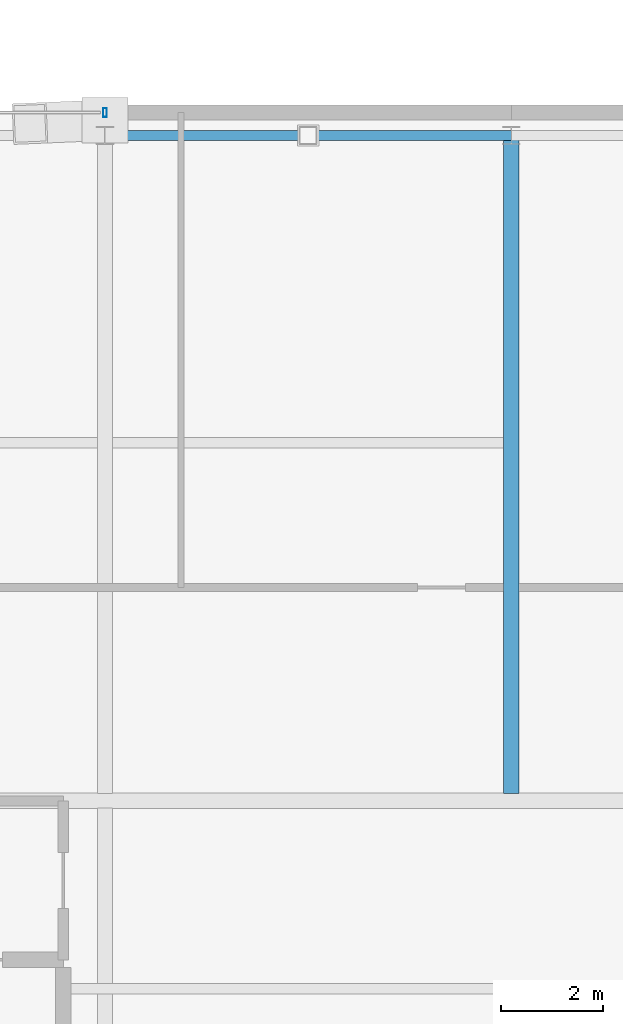
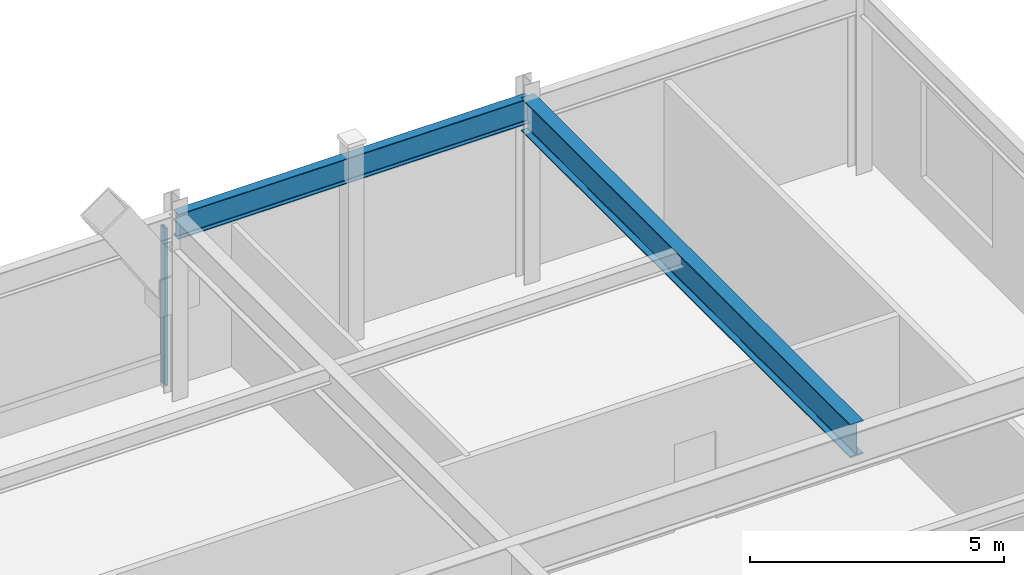
# One storey, part 12 of 21: 2 beams, 1 member, 1 element without a shape of its own.
"""IFC4 building model written with IfcOpenShell, lengths in metres."""

from ifc_helpers import new_model, si_unit, direction, frame, origin, origin_2d, place, context, subcontext, project, spatial, hollow_rectangle, i_section, extrude, material, layer, layer_set, material_profile, profile_set, type_object, element, aggregate, save


model = new_model("IFC4")

# Units and contexts
model_context = context("Model", 3, precision=1e-05, world=origin(), true_north=direction((0.0, 1.0)))
body_context = subcontext(model_context, "Body", "Model", "MODEL_VIEW")
ifc_project = project(units=[si_unit("LENGTHUNIT", "METRE"), si_unit("AREAUNIT", "SQUARE_METRE"), si_unit("VOLUMEUNIT", "CUBIC_METRE"), si_unit("PLANEANGLEUNIT", "RADIAN"), si_unit("MASSUNIT", "GRAM", prefix="KILO")], contexts=[model_context])

# Site, building, storey
site_placement = place(None, origin())
site = spatial("IfcSite", under=ifc_project, at=site_placement, CompositionType="ELEMENT")
building_placement = place(site_placement, origin())
building = spatial("IfcBuilding", under=site, at=building_placement, Name="Veldorina Hangang Commons", CompositionType="ELEMENT")
storey_placement = place(building_placement, frame((0.0, 0.0, 19.60009765625)))
storey = spatial("IfcBuildingStorey", under=building, at=storey_placement, Name="L04", CompositionType="ELEMENT", Elevation=19.60009765625)

# Beams
ifc_material_1 = material(Name="Steel SM460-TMC", Category="steel")
ifc_material_profile_1 = material_profile(ifc_material_1, i_section(OverallWidth=0.300048828125, OverallDepth=0.800048828125, WebThickness=0.013916015625, FlangeThickness=0.02587890625, FilletRadius=0.02197265625, at=origin_2d()), Name="H-800x300x14x26")
ifc_profile_set_1 = profile_set([ifc_material_profile_1], Name="Steel SM460-TMC")
beam_type_1 = type_object("IfcBeamType", Name="BM-PG800", PredefinedType="BEAM", material=ifc_profile_set_1)
beam_1_placement = place(storey_placement, frame((52.0, 31.590087890625, 4.0), z_axis=(0.0, 1.0, 0.0), x_axis=(-1.0, 0.0, 0.0)))
element("IfcBeam", 1, at=beam_1_placement, inside=storey, type_object=beam_type_1, Name="L04 north primary girder G8", PredefinedType="BEAM", context=body_context, shape_type="SweptSolid", body=[
    extrude(i_section(OverallWidth=0.300048828125, OverallDepth=0.800048828125, WebThickness=0.013916015625, FlangeThickness=0.02587890625, FilletRadius=0.02197265625, at=origin_2d()), origin(), (0.0, 0.0, 1.0), 12.9599609375),
])
ifc_material_2 = material(Name="Steel SM420-TMC", Category="steel")
ifc_material_profile_2 = material_profile(ifc_material_2, i_section(OverallWidth=0.199951171875, OverallDepth=0.60009765625, WebThickness=0.010986328125, FlangeThickness=0.01708984375, FilletRadius=0.01806640625, at=origin_2d()), Name="H-600x200x11x17")
ifc_profile_set_2 = profile_set([ifc_material_profile_2], Name="Steel SM420-TMC")
beam_type_2 = type_object("IfcBeamType", Name="BM-SPN600", PredefinedType="SPANDREL", material=ifc_profile_set_2)
beam_2_placement = place(storey_placement, frame((44.0, 44.550048828125, 4.099853515625), z_axis=(1.0, 0.0, 0.0), x_axis=(0.0, 1.0, 0.0)))
element("IfcBeam", 2, at=beam_2_placement, inside=storey, type_object=beam_type_2, Name="L04 north spandrel beam 5", PredefinedType="SPANDREL", context=body_context, shape_type="SweptSolid", body=[
    extrude(i_section(OverallWidth=0.199951171875, OverallDepth=0.60009765625, WebThickness=0.010986328125, FlangeThickness=0.01708984375, FilletRadius=0.01806640625, at=origin_2d()), origin(), (0.0, 0.0, 1.0), 8.0),
])

# Curtain wall, member
ifc_material_3 = material(Name="Glass Low-E Triple IGU", Category="glass")
ifc_layer = layer(ifc_material_3, 0.179931640625)
ifc_layer_set = layer_set([ifc_layer], Name="Glass Low-E Triple IGU")
curtain_wall_type = type_object("IfcCurtainWallType", Name="CW-SYS-POD", PredefinedType="NOTDEFINED", material=ifc_layer_set)
curtain_wall_placement = place(storey_placement, origin())
curtain_wall = element("IfcCurtainWall", 3, at=curtain_wall_placement, inside=storey, type_object=curtain_wall_type, Name="L04 unitised curtain wall CW-L04-N-CTR", PredefinedType="NOTDEFINED")
ifc_material_4 = material(Name="Aluminium Anodized AA6063-T6", Category="aluminium")
ifc_material_profile_3 = material_profile(ifc_material_4, hollow_rectangle(XDim=0.070068359375, YDim=0.179931640625, WallThickness=0.00390625, at=origin_2d()), Name="ALU-RHS-180x70x4")
ifc_profile_set_3 = profile_set([ifc_material_profile_3], Name="Aluminium Anodized AA6063-T6")
member_type = type_object("IfcMemberType", Name="CW-MUL-180", PredefinedType="MULLION", material=ifc_profile_set_3)
member_placement = place(storey_placement, frame((44.0, 45.0, 0.0), z_axis=(0.0, 0.0, 1.0), x_axis=(-1.0, 0.0, 0.0)))
member = element("IfcMember", 4, at=member_placement, type_object=member_type, Name="CW-L04-N-CTR vertical mullion 1", PredefinedType="MULLION", context=body_context, shape_type="SweptSolid", body=[
    extrude(hollow_rectangle(XDim=0.070068359375, YDim=0.179931640625, WallThickness=0.00390625, at=origin_2d()), origin(), (0.0, 0.0, 1.0), 3.77978515625),
])
aggregate(curtain_wall, [member])

save(model, "model.ifc")
